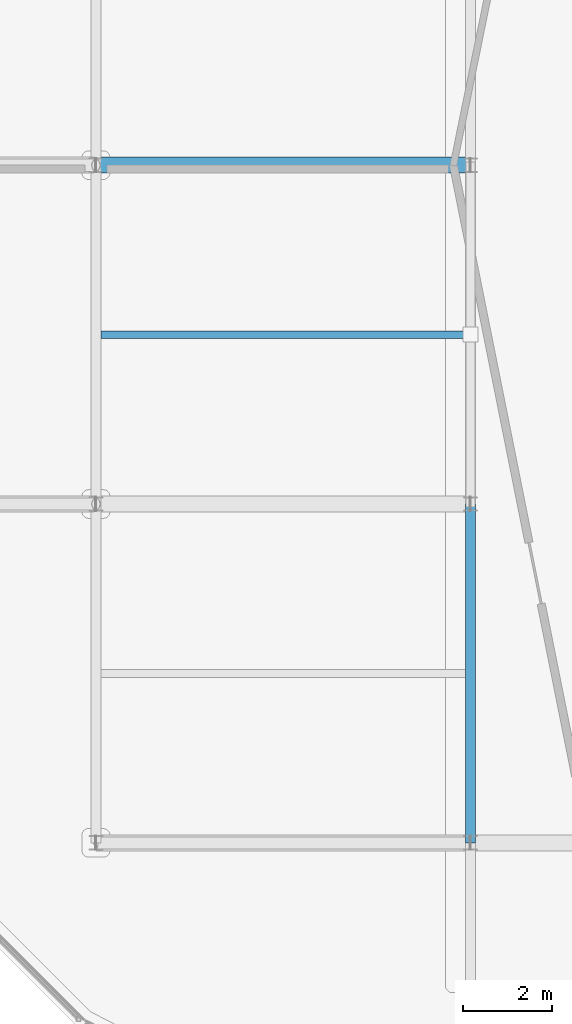
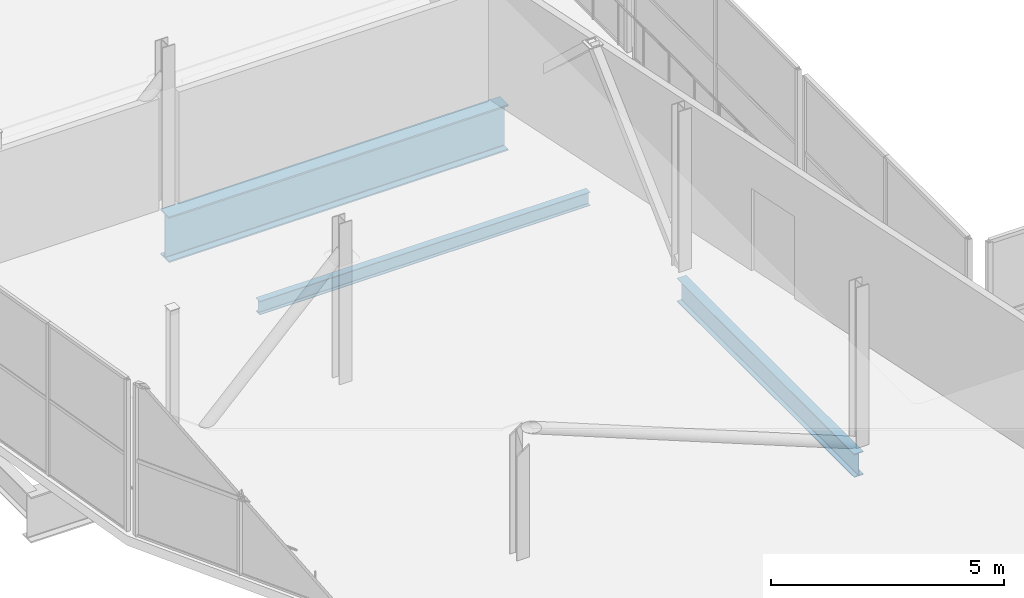
# One storey, part 24 of 151: 3 beams.
"""IFC4 building model written with IfcOpenShell, lengths in metres."""

from ifc_helpers import new_model, si_unit, direction, frame, origin, origin_2d, place, context, subcontext, project, spatial, i_section, extrude, material, material_profile, profile_set, type_object, element, save


model = new_model("IFC4")

# Units and contexts
model_context = context("Model", 3, precision=1e-05, world=origin(), true_north=direction((0.0, 1.0)))
body_context = subcontext(model_context, "Body", "Model", "MODEL_VIEW")
ifc_project = project(units=[si_unit("LENGTHUNIT", "METRE"), si_unit("AREAUNIT", "SQUARE_METRE"), si_unit("VOLUMEUNIT", "CUBIC_METRE"), si_unit("PLANEANGLEUNIT", "RADIAN"), si_unit("MASSUNIT", "GRAM", prefix="KILO")], contexts=[model_context])

# Site, building, storey
site_placement = place(None, origin())
site = spatial("IfcSite", under=ifc_project, at=site_placement, CompositionType="ELEMENT")
building_placement = place(site_placement, origin())
building = spatial("IfcBuilding", under=site, at=building_placement, Name="Zuvorla Pavilion Media Centre", CompositionType="ELEMENT")
storey_placement = place(building_placement, frame((0.0, 0.0, 13.800048828125)))
storey = spatial("IfcBuildingStorey", under=building, at=storey_placement, Name="L03", CompositionType="ELEMENT", Elevation=13.800048828125)

# Beams
ifc_material = material(Name="Steel S355", Category="steel")
ifc_material_profile_1 = material_profile(ifc_material, i_section(OverallWidth=0.360107421875, OverallDepth=1.199951171875, WebThickness=0.02001953125, FlangeThickness=0.0380859375, FilletRadius=0.02392578125, at=origin_2d()), Name="PG 1200x360x38")
ifc_profile_set_1 = profile_set([ifc_material_profile_1], Name="Steel S355")
beam_type_1 = type_object("IfcBeamType", Name="BM-PG1200", PredefinedType="BEAM", material=ifc_profile_set_1)
beam_1_placement = place(storey_placement, frame((24.800048828125, 66.800048828125, -0.858154296875), z_axis=(-1.0, 0.0, 0.0), x_axis=(0.0, -1.0, 0.0)))
element("IfcBeam", 1, at=beam_1_placement, inside=storey, type_object=beam_type_1, Name="L03 beam B01 1701", PredefinedType="BEAM", context=body_context, shape_type="SweptSolid", body=[
    extrude(i_section(OverallWidth=0.360107421875, OverallDepth=1.199951171875, WebThickness=0.02001953125, FlangeThickness=0.0380859375, FilletRadius=0.02392578125, at=origin_2d()), origin(), (0.0, 0.0, 1.0), 8.400146484375),
])
ifc_material_profile_2 = material_profile(ifc_material, i_section(OverallWidth=0.172119140625, OverallDepth=0.35791015625, WebThickness=0.008056640625, FlangeThickness=0.012939453125, FilletRadius=0.01025390625, at=origin_2d()), Name="UB 356x171x57")
ifc_profile_set_2 = profile_set([ifc_material_profile_2], Name="Steel S355")
beam_type_2 = type_object("IfcBeamType", Name="BM-UB356", PredefinedType="JOIST", material=ifc_profile_set_2)
beam_2_placement = place(storey_placement, frame((16.509521484375, 63.0, -0.43701171875), z_axis=(1.0, 0.0, 0.0), x_axis=(0.0, 1.0, 0.0)))
element("IfcBeam", 2, at=beam_2_placement, inside=storey, type_object=beam_type_2, Name="L03 joist J03 1233", PredefinedType="JOIST", context=body_context, shape_type="SweptSolid", body=[
    extrude(i_section(OverallWidth=0.172119140625, OverallDepth=0.35791015625, WebThickness=0.008056640625, FlangeThickness=0.012939453125, FilletRadius=0.01025390625, at=origin_2d()), origin(), (0.0, 0.0, 1.0), 8.180908203125),
])
ifc_material_profile_3 = material_profile(ifc_material, i_section(OverallWidth=0.22900390625, OverallDepth=0.6123046875, WebThickness=0.011962890625, FlangeThickness=0.01953125, FilletRadius=0.0126953125, at=origin_2d()), Name="UB 610x229x125")
ifc_profile_set_3 = profile_set([ifc_material_profile_3], Name="Steel S355")
beam_type_3 = type_object("IfcBeamType", Name="BM-UB610", PredefinedType="BEAM", material=ifc_profile_set_3)
beam_3_placement = place(storey_placement, frame((24.800048828125, 51.60009765625, -0.564208984375), z_axis=(0.0, 1.0, 0.0), x_axis=(-1.0, 0.0, 0.0)))
element("IfcBeam", 3, at=beam_3_placement, inside=storey, type_object=beam_type_3, Name="L03 beam B07 1152", PredefinedType="BEAM", context=body_context, shape_type="SweptSolid", body=[
    extrude(i_section(OverallWidth=0.22900390625, OverallDepth=0.6123046875, WebThickness=0.011962890625, FlangeThickness=0.01953125, FilletRadius=0.0126953125, at=origin_2d()), origin(), (0.0, 0.0, 1.0), 7.599853515625),
])

save(model, "model.ifc")
